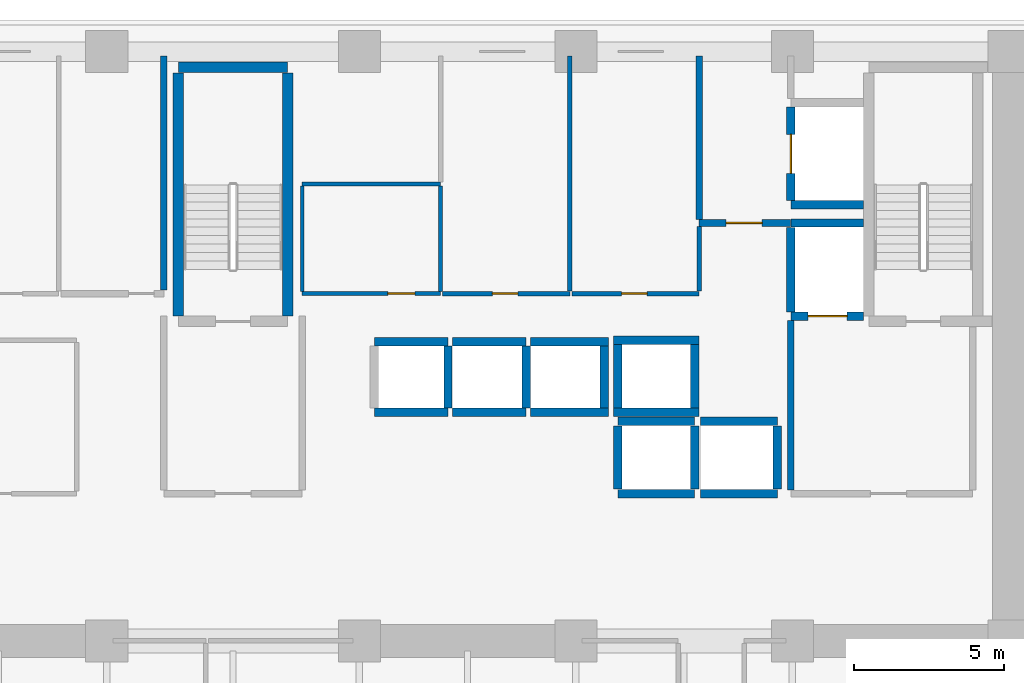
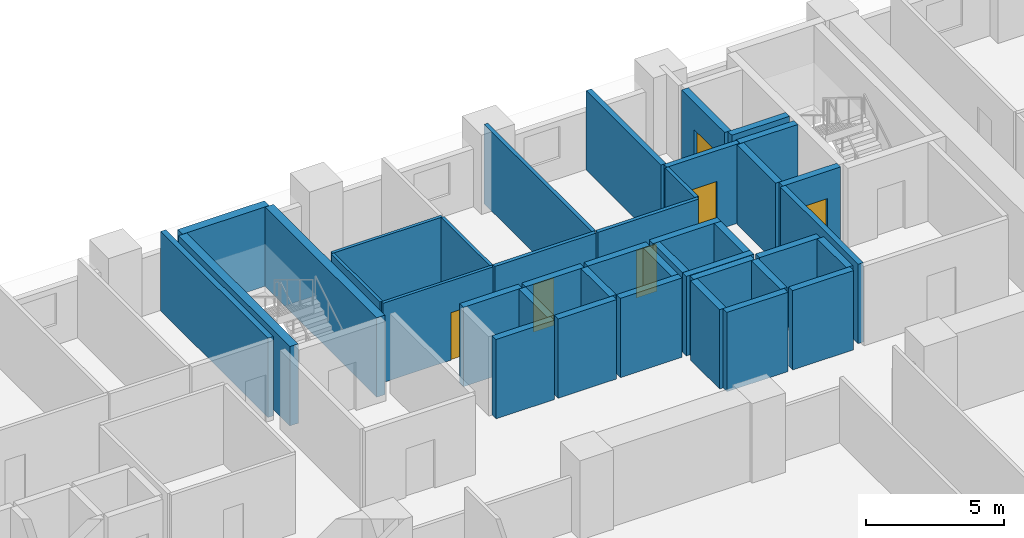
# One storey, part 8 of 15: 40 walls, 6 doors, 6 openings.
"""IFC4 building model written with IfcOpenShell, lengths in metres."""

from ifc_helpers import new_model, si_unit, direction, frame, frame_2d, origin, place, context, subcontext, project, spatial, rectangle, extrude, material, layer, layer_set, type_object, element, fill, save


model = new_model("IFC4")

# Units and contexts
model_context = context("Model", 3, precision=1e-05, world=origin(), true_north=direction((0.0, 1.0)))
body_context = subcontext(model_context, "Body", "Model", "MODEL_VIEW")
ifc_project = project(units=[si_unit("LENGTHUNIT", "METRE"), si_unit("AREAUNIT", "SQUARE_METRE"), si_unit("VOLUMEUNIT", "CUBIC_METRE"), si_unit("PLANEANGLEUNIT", "RADIAN"), si_unit("MASSUNIT", "GRAM", prefix="KILO")], contexts=[model_context])

# Site, building, storey
site_placement = place(None, origin())
site = spatial("IfcSite", under=ifc_project, at=site_placement, CompositionType="ELEMENT")
building_placement = place(site_placement, origin())
building = spatial("IfcBuilding", under=site, at=building_placement, Name="Kaelvorn Grand Hotel", CompositionType="ELEMENT")
storey_placement = place(building_placement, frame((0.0, 0.0, 42.64990234375)))
storey = spatial("IfcBuildingStorey", under=building, at=storey_placement, Name="L08", CompositionType="ELEMENT", Elevation=42.64990234375)

# Wall, opening, door
ifc_material_1 = material(Name="Moisture-Resistant Tile & Stud Board")
ifc_layer_1 = layer(ifc_material_1, 0.125)
ifc_layer_set_1 = layer_set([ifc_layer_1], Name="Moisture-Resistant Tile & Stud Board")
wall_type_1 = type_object("IfcWallType", Name="WL-PART-125-WET", PredefinedType="PARTITIONING", material=ifc_layer_set_1)
wall_1_placement = place(storey_placement, frame((44.300048828125, 40.949951171875, 0.0), z_axis=(0.0, 0.0, 1.0), x_axis=(1.0, 0.0, 0.0)))
wall_1 = element("IfcWall", 1, at=wall_1_placement, inside=storey, type_object=wall_type_1, Name="L08 Accessible WC S Partition", PredefinedType="PARTITIONING", context=body_context, shape_type="SweptSolid", body=[
    extrude(rectangle(XDim=4.599853515625, YDim=0.125, at=frame_2d((2.2998046875, 0.0))), origin(), (0.0, 0.0, 1.0), 3.510009765625),
])
opening_1_placement = place(wall_1_placement, frame((2.85009765625, 0.0, 0.0)))
opening_1 = element("IfcOpeningElement", 2, at=opening_1_placement, cuts=wall_1, Name="Opening DI4", PredefinedType="OPENING", context=body_context, shape_type="SweptSolid", body=[
    extrude(rectangle(XDim=0.89990234375, YDim=2.10009765625, at=frame_2d((0.449951171875, 1.050048828125))), frame((0.0, 0.072509765625, 0.0), z_axis=(0.0, -1.0, 0.0), x_axis=(1.0, 0.0, 0.0)), (0.0, 0.0, 1.0), 0.14501953125),
])
ifc_material_2 = material(Name="Timber Veneer Leaf", Category="wood")
door_type_1 = type_object("IfcDoorType", Name="DR-INT-BATH-900x2100", OperationType="NOTDEFINED", PredefinedType="DOOR", material=ifc_material_2)
door_1_placement = place(opening_1_placement, origin())
door_1 = element("IfcDoor", 3, at=door_1_placement, inside=storey, type_object=door_type_1, Name="L08 Accessible WC Door", OperationType="SINGLE_SWING_RIGHT", OverallHeight=2.10009765625, OverallWidth=0.89990234375, PredefinedType="DOOR", context=body_context, shape_type="SweptSolid", body=[
    extrude(rectangle(XDim=0.89990234375, YDim=2.10009765625, at=frame_2d((0.449951171875, 1.050048828125))), frame((0.0, 0.02490234375, 0.0), z_axis=(0.0, -1.0, 0.0), x_axis=(1.0, 0.0, 0.0)), (0.0, 0.0, 1.0), 0.050048828125),
])
fill(opening_1, door_1)

# Walls
wall_2_placement = place(storey_placement, frame((44.300048828125, 44.60009765625, 0.0), z_axis=(0.0, 0.0, 1.0), x_axis=(1.0, 0.0, 0.0)))
element("IfcWall", 4, at=wall_2_placement, inside=storey, type_object=wall_type_1, Name="L08 Accessible WC N Partition", PredefinedType="PARTITIONING", context=body_context, shape_type="SweptSolid", body=[
    extrude(rectangle(XDim=4.599853515625, YDim=0.125, at=frame_2d((2.2998046875, 0.0))), origin(), (0.0, 0.0, 1.0), 3.510009765625),
])
for number, where, z_axis, x_axis, name in (
    (5, (44.300048828125, 41.017578125, 0.0), (0.0, 0.0, 1.0), (0.0, 1.0, 0.0), "L08 Accessible WC W Partition"),
    (6, (48.89990234375, 41.017578125, 0.0), (0.0, 0.0, 1.0), (0.0, 1.0, 0.0), "L08 Accessible WC E Partition"),
):
    element("IfcWall", number, at=place(storey_placement, frame(where, z_axis=z_axis, x_axis=x_axis)), inside=storey, type_object=wall_type_1, Name=name, PredefinedType="PARTITIONING", context=body_context, shape_type="SweptSolid", body=[
        extrude(rectangle(XDim=3.514892578125, YDim=0.125, at=frame_2d((1.75732421875, 0.0))), origin(), (0.0, 0.0, 1.0), 3.510009765625),
    ])

# Wall, opening, door
ifc_material_3 = material(Name="Acoustic Gypsum & Stud Partition")
ifc_layer_2 = layer(ifc_material_3, 0.14990234375)
ifc_layer_set_2 = layer_set([ifc_layer_2], Name="Acoustic Gypsum & Stud Partition")
wall_type_2 = type_object("IfcWallType", Name="WL-PART-150-EI60", PredefinedType="PARTITIONING", material=ifc_layer_set_2)
wall_3_placement = place(storey_placement, frame((48.967529296875, 40.949951171875, 0.0), z_axis=(0.0, 0.0, 1.0), x_axis=(1.0, 0.0, 0.0)))
wall_3 = element("IfcWall", 7, at=wall_3_placement, inside=storey, type_object=wall_type_2, Name="L08 Minibar & Glassware Store S Partition", PredefinedType="PARTITIONING", context=body_context, shape_type="SweptSolid", body=[
    extrude(rectangle(XDim=4.232421875, YDim=0.14990234375, at=frame_2d((2.1162109375, 0.0))), origin(), (0.0, 0.0, 1.0), 3.510009765625),
])
opening_2_placement = place(wall_3_placement, frame((1.657470703125, 0.0, 0.0)))
opening_2 = element("IfcOpeningElement", 8, at=opening_2_placement, cuts=wall_3, Name="Opening DI7", PredefinedType="OPENING", context=body_context, shape_type="SweptSolid", body=[
    extrude(rectangle(XDim=0.85009765625, YDim=2.10009765625, at=frame_2d((0.425048828125, 1.050048828125))), frame((0.0, 0.0849609375, 0.0), z_axis=(0.0, -1.0, 0.0), x_axis=(1.0, 0.0, 0.0)), (0.0, 0.0, 1.0), 0.169921875),
])
ifc_material_4 = material(Name="Powder-Coated Steel Leaf", Category="steel")
door_type_2 = type_object("IfcDoorType", Name="DR-INT-RISER-850x2100", OperationType="NOTDEFINED", PredefinedType="DOOR", material=ifc_material_4)
door_2_placement = place(opening_2_placement, origin())
door_2 = element("IfcDoor", 9, at=door_2_placement, inside=storey, type_object=door_type_2, Name="L08 Minibar & Glassware Store Door", OperationType="SINGLE_SWING_LEFT", OverallHeight=2.10009765625, OverallWidth=0.85009765625, PredefinedType="DOOR", context=body_context, shape_type="SweptSolid", body=[
    extrude(rectangle(XDim=0.85009765625, YDim=2.10009765625, at=frame_2d((0.425048828125, 1.050048828125))), frame((0.0, 0.02490234375, 0.0), z_axis=(0.0, -1.0, 0.0), x_axis=(1.0, 0.0, 0.0)), (0.0, 0.0, 1.0), 0.050048828125),
])
fill(opening_2, door_2)

# Wall
wall_4_placement = place(storey_placement, frame((53.199951171875, 41.030029296875, 0.0), z_axis=(0.0, 0.0, 1.0), x_axis=(0.0, 1.0, 0.0)))
element("IfcWall", 10, at=wall_4_placement, inside=storey, type_object=wall_type_2, Name="L08 Minibar & Glassware Store E Partition", PredefinedType="PARTITIONING", context=body_context, shape_type="SweptSolid", body=[
    extrude(rectangle(XDim=7.820068359375, YDim=0.14990234375, at=frame_2d((3.91015625, 0.0))), origin(), (0.0, 0.0, 1.0), 3.510009765625),
])

# Wall, opening, door
wall_5_placement = place(storey_placement, frame((53.280029296875, 40.949951171875, 0.0), z_axis=(0.0, 0.0, 1.0), x_axis=(1.0, 0.0, 0.0)))
wall_5 = element("IfcWall", 11, at=wall_5_placement, inside=storey, type_object=wall_type_2, Name="L08 Floor IT & Comms Room S Partition", PredefinedType="PARTITIONING", context=body_context, shape_type="SweptSolid", body=[
    extrude(rectangle(XDim=4.219970703125, YDim=0.14990234375, at=frame_2d((2.10986328125, 0.0))), origin(), (0.0, 0.0, 1.0), 3.510009765625),
])
opening_3_placement = place(wall_5_placement, frame((1.64501953125, 0.0, 0.0)))
opening_3 = element("IfcOpeningElement", 12, at=opening_3_placement, cuts=wall_5, Name="Opening DI7", PredefinedType="OPENING", context=body_context, shape_type="SweptSolid", body=[
    extrude(rectangle(XDim=0.85009765625, YDim=2.10009765625, at=frame_2d((0.425048828125, 1.050048828125))), frame((0.0, 0.0849609375, 0.0), z_axis=(0.0, -1.0, 0.0), x_axis=(1.0, 0.0, 0.0)), (0.0, 0.0, 1.0), 0.169921875),
])
door_3_placement = place(opening_3_placement, origin())
door_3 = element("IfcDoor", 13, at=door_3_placement, inside=storey, type_object=door_type_2, Name="L08 Floor IT & Comms Room Door", OperationType="SINGLE_SWING_RIGHT", OverallHeight=2.10009765625, OverallWidth=0.85009765625, PredefinedType="DOOR", context=body_context, shape_type="SweptSolid", body=[
    extrude(rectangle(XDim=0.85009765625, YDim=2.10009765625, at=frame_2d((0.425048828125, 1.050048828125))), frame((0.0, 0.02490234375, 0.0), z_axis=(0.0, -1.0, 0.0), x_axis=(1.0, 0.0, 0.0)), (0.0, 0.0, 1.0), 0.050048828125),
])
fill(opening_3, door_3)

# Walls
wall_6_placement = place(storey_placement, frame((57.5, 41.030029296875, 0.0), z_axis=(0.0, 0.0, 1.0), x_axis=(0.0, 1.0, 0.0)))
element("IfcWall", 14, at=wall_6_placement, inside=storey, type_object=wall_type_2, Name="L08 Floor IT & Comms Room E Partition", PredefinedType="PARTITIONING", context=body_context, shape_type="SweptSolid", body=[
    extrude(rectangle(XDim=2.155029296875, YDim=0.14990234375, at=frame_2d((1.07763671875, 0.0))), origin(), (0.0, 0.0, 1.0), 3.510009765625),
])
ifc_material_5 = material(Name="Concrete C40/50", Category="concrete")
ifc_layer_3 = layer(ifc_material_5, 0.219970703125)
ifc_layer_set_3 = layer_set([ifc_layer_3], Name="Concrete C40/50")
wall_type_3 = type_object("IfcWallType", Name="WL-PART-220-EI120", PredefinedType="PARTITIONING", material=ifc_layer_set_3)
wall_7_placement = place(storey_placement, frame((60.550048828125, 34.4150390625, 0.0), z_axis=(0.0, 0.0, 1.0), x_axis=(0.0, 1.0, 0.0)))
element("IfcWall", 15, at=wall_7_placement, inside=storey, type_object=wall_type_3, Name="L08 Firefighting Lift Lobby 2 W Partition", PredefinedType="PARTITIONING", context=body_context, shape_type="SweptSolid", body=[
    extrude(rectangle(XDim=5.639892578125, YDim=0.219970703125, at=frame_2d((2.81982421875, 0.0))), origin(), (0.0, 0.0, 1.0), 3.510009765625),
])

# Wall, opening, door
wall_8_placement = place(storey_placement, frame((57.5, 43.300048828125, 0.0), z_axis=(0.0, 0.0, 1.0), x_axis=(1.0, 0.0, 0.0)))
wall_8 = element("IfcWall", 16, at=wall_8_placement, inside=storey, type_object=wall_type_3, Name="L08 Service Lift Lobby S Partition", PredefinedType="PARTITIONING", context=body_context, shape_type="SweptSolid", body=[
    extrude(rectangle(XDim=3.0400390625, YDim=0.219970703125, at=frame_2d((1.52001953125, 0.0))), origin(), (0.0, 0.0, 1.0), 3.510009765625),
])
opening_4_placement = place(wall_8_placement, frame((0.89990234375, 0.0, 0.0)))
opening_4 = element("IfcOpeningElement", 17, at=opening_4_placement, cuts=wall_8, Name="Opening DI2", PredefinedType="OPENING", context=body_context, shape_type="SweptSolid", body=[
    extrude(rectangle(XDim=1.199951171875, YDim=2.14990234375, at=frame_2d((0.60009765625, 1.074951171875))), frame((0.0, 0.1201171875, 0.0), z_axis=(0.0, -1.0, 0.0), x_axis=(1.0, 0.0, 0.0)), (0.0, 0.0, 1.0), 0.239990234375),
])
ifc_material_6 = material(Name="Timber Veneer Fire Leaf", Category="wood")
door_type_3 = type_object("IfcDoorType", Name="DR-INT-FFLOB-1200x2150", OperationType="NOTDEFINED", PredefinedType="DOOR", material=ifc_material_6)
door_4_placement = place(opening_4_placement, origin())
door_4 = element("IfcDoor", 18, at=door_4_placement, inside=storey, type_object=door_type_3, Name="L08 Service Lift Lobby Door", OperationType="SINGLE_SWING_LEFT", OverallHeight=2.14990234375, OverallWidth=1.199951171875, PredefinedType="DOOR", context=body_context, shape_type="SweptSolid", body=[
    extrude(rectangle(XDim=1.199951171875, YDim=2.14990234375, at=frame_2d((0.60009765625, 1.074951171875))), frame((0.0, 0.02490234375, 0.0), z_axis=(0.0, -1.0, 0.0), x_axis=(1.0, 0.0, 0.0)), (0.0, 0.0, 1.0), 0.050048828125),
])
fill(opening_4, door_4)

# Walls
wall_9_placement = place(storey_placement, frame((57.5, 43.4150390625, 0.0), z_axis=(0.0, 0.0, 1.0), x_axis=(0.0, 1.0, 0.0)))
element("IfcWall", 19, at=wall_9_placement, inside=storey, type_object=wall_type_3, Name="L08 Service Lift Lobby W Partition", PredefinedType="PARTITIONING", context=body_context, shape_type="SweptSolid", body=[
    extrude(rectangle(XDim=5.43505859375, YDim=0.219970703125, at=frame_2d((2.717529296875, 0.0))), origin(), (0.0, 0.0, 1.0), 3.510009765625),
])
wall_10_placement = place(storey_placement, frame((39.699951171875, 41.06494140625, 0.0), z_axis=(0.0, 0.0, 1.0), x_axis=(0.0, 1.0, 0.0)))
element("IfcWall", 20, at=wall_10_placement, inside=storey, type_object=wall_type_3, Name="L08 LV Electrical & Metering Room E Partition", PredefinedType="PARTITIONING", context=body_context, shape_type="SweptSolid", body=[
    extrude(rectangle(XDim=7.78515625, YDim=0.219970703125, at=frame_2d((3.892578125, 0.0))), origin(), (0.0, 0.0, 1.0), 3.510009765625),
])
ifc_material_7 = material(Name="Concrete C50/60", Category="concrete")
ifc_layer_4 = layer(ifc_material_7, 0.280029296875)
ifc_layer_set_4 = layer_set([ifc_layer_4], Name="Concrete C50/60")
wall_type_4 = type_object("IfcWallType", Name="WL-SHAFT-280-C50", PredefinedType="SHEAR", material=ifc_layer_set_4)
for number, where, z_axis, x_axis, name in (
    (21, (46.699951171875, 37.0, 0.0), (0.0, 0.0, 1.0), (1.0, 0.0, 0.0), "L08 Lift SL-1 Shaft South Wall"),
    (22, (46.699951171875, 39.35009765625, 0.0), (0.0, 0.0, 1.0), (1.0, 0.0, 0.0), "L08 Lift SL-1 Shaft North Wall"),
):
    element("IfcWall", number, at=place(storey_placement, frame(where, z_axis=z_axis, x_axis=x_axis)), inside=storey, type_object=wall_type_4, Name=name, PredefinedType="SHEAR", context=body_context, shape_type="SweptSolid", body=[
        extrude(rectangle(XDim=2.449951171875, YDim=0.280029296875, at=frame_2d((1.22509765625, 0.0))), origin(), (0.0, 0.0, 1.0), 3.510009765625),
    ])
wall_11_placement = place(storey_placement, frame((49.14990234375, 37.14501953125, 0.0), z_axis=(0.0, 0.0, 1.0), x_axis=(0.0, 1.0, 0.0)))
element("IfcWall", 23, at=wall_11_placement, inside=storey, type_object=wall_type_4, Name="L08 Lift SL-1 Shaft East Wall", PredefinedType="SHEAR", context=body_context, shape_type="SweptSolid", body=[
    extrude(rectangle(XDim=2.06005859375, YDim=0.280029296875, at=frame_2d((1.030029296875, 0.0))), origin(), (0.0, 0.0, 1.0), 3.510009765625),
])
for number, where, z_axis, x_axis, name in (
    (24, (49.300048828125, 37.0, 0.0), (0.0, 0.0, 1.0), (1.0, 0.0, 0.0), "L08 Lift SL-2 Shaft South Wall"),
    (25, (49.300048828125, 39.35009765625, 0.0), (0.0, 0.0, 1.0), (1.0, 0.0, 0.0), "L08 Lift SL-2 Shaft North Wall"),
):
    element("IfcWall", number, at=place(storey_placement, frame(where, z_axis=z_axis, x_axis=x_axis)), inside=storey, type_object=wall_type_4, Name=name, PredefinedType="SHEAR", context=body_context, shape_type="SweptSolid", body=[
        extrude(rectangle(XDim=2.449951171875, YDim=0.280029296875, at=frame_2d((1.22509765625, 0.0))), origin(), (0.0, 0.0, 1.0), 3.510009765625),
    ])
wall_12_placement = place(storey_placement, frame((51.75, 37.14501953125, 0.0), z_axis=(0.0, 0.0, 1.0), x_axis=(0.0, 1.0, 0.0)))
element("IfcWall", 26, at=wall_12_placement, inside=storey, type_object=wall_type_4, Name="L08 Lift SL-2 Shaft East Wall", PredefinedType="SHEAR", context=body_context, shape_type="SweptSolid", body=[
    extrude(rectangle(XDim=2.06005859375, YDim=0.280029296875, at=frame_2d((1.030029296875, 0.0))), origin(), (0.0, 0.0, 1.0), 3.510009765625),
])
for number, where, z_axis, x_axis, name in (
    (27, (51.89990234375, 37.0, 0.0), (0.0, 0.0, 1.0), (1.0, 0.0, 0.0), "L08 Lift SL-3 Shaft South Wall"),
    (28, (51.89990234375, 39.35009765625, 0.0), (0.0, 0.0, 1.0), (1.0, 0.0, 0.0), "L08 Lift SL-3 Shaft North Wall"),
):
    element("IfcWall", number, at=place(storey_placement, frame(where, z_axis=z_axis, x_axis=x_axis)), inside=storey, type_object=wall_type_4, Name=name, PredefinedType="SHEAR", context=body_context, shape_type="SweptSolid", body=[
        extrude(rectangle(XDim=2.590087890625, YDim=0.280029296875, at=frame_2d((1.294921875, 0.0))), origin(), (0.0, 0.0, 1.0), 3.510009765625),
    ])
wall_13_placement = place(storey_placement, frame((54.35009765625, 37.14501953125, 0.0), z_axis=(0.0, 0.0, 1.0), x_axis=(0.0, 1.0, 0.0)))
element("IfcWall", 29, at=wall_13_placement, inside=storey, type_object=wall_type_4, Name="L08 Lift SL-3 Shaft East Wall", PredefinedType="SHEAR", context=body_context, shape_type="SweptSolid", body=[
    extrude(rectangle(XDim=2.06005859375, YDim=0.280029296875, at=frame_2d((1.030029296875, 0.0))), origin(), (0.0, 0.0, 1.0), 3.510009765625),
])
for number, where, z_axis, x_axis, name in (
    (30, (54.800048828125, 34.300048828125, 0.0), (0.0, 0.0, 1.0), (1.0, 0.0, 0.0), "L08 Lift OL-1 Shaft South Wall"),
    (31, (54.800048828125, 36.699951171875, 0.0), (0.0, 0.0, 1.0), (1.0, 0.0, 0.0), "L08 Lift OL-1 Shaft North Wall"),
):
    element("IfcWall", number, at=place(storey_placement, frame(where, z_axis=z_axis, x_axis=x_axis)), inside=storey, type_object=wall_type_4, Name=name, PredefinedType="SHEAR", context=body_context, shape_type="SweptSolid", body=[
        extrude(rectangle(XDim=2.550048828125, YDim=0.280029296875, at=frame_2d((1.27490234375, 0.0))), origin(), (0.0, 0.0, 1.0), 3.510009765625),
    ])
for number, where, z_axis, x_axis, name in (
    (32, (54.800048828125, 34.445068359375, 0.0), (0.0, 0.0, 1.0), (0.0, 1.0, 0.0), "L08 Lift OL-1 Shaft West Wall"),
    (33, (57.35009765625, 34.445068359375, 0.0), (0.0, 0.0, 1.0), (0.0, 1.0, 0.0), "L08 Lift OL-1 Shaft East Wall"),
):
    element("IfcWall", number, at=place(storey_placement, frame(where, z_axis=z_axis, x_axis=x_axis)), inside=storey, type_object=wall_type_4, Name=name, PredefinedType="SHEAR", context=body_context, shape_type="SweptSolid", body=[
        extrude(rectangle(XDim=2.10986328125, YDim=0.280029296875, at=frame_2d((1.054931640625, 0.0))), origin(), (0.0, 0.0, 1.0), 3.510009765625),
    ])
for number, where, z_axis, x_axis, name in (
    (34, (57.550048828125, 34.300048828125, 0.0), (0.0, 0.0, 1.0), (1.0, 0.0, 0.0), "L08 Lift OL-2 Shaft South Wall"),
    (35, (57.550048828125, 36.699951171875, 0.0), (0.0, 0.0, 1.0), (1.0, 0.0, 0.0), "L08 Lift OL-2 Shaft North Wall"),
):
    element("IfcWall", number, at=place(storey_placement, frame(where, z_axis=z_axis, x_axis=x_axis)), inside=storey, type_object=wall_type_4, Name=name, PredefinedType="SHEAR", context=body_context, shape_type="SweptSolid", body=[
        extrude(rectangle(XDim=2.550048828125, YDim=0.280029296875, at=frame_2d((1.27490234375, 0.0))), origin(), (0.0, 0.0, 1.0), 3.510009765625),
    ])
wall_14_placement = place(storey_placement, frame((60.10009765625, 34.445068359375, 0.0), z_axis=(0.0, 0.0, 1.0), x_axis=(0.0, 1.0, 0.0)))
element("IfcWall", 36, at=wall_14_placement, inside=storey, type_object=wall_type_4, Name="L08 Lift OL-2 Shaft East Wall", PredefinedType="SHEAR", context=body_context, shape_type="SweptSolid", body=[
    extrude(rectangle(XDim=2.10986328125, YDim=0.280029296875, at=frame_2d((1.054931640625, 0.0))), origin(), (0.0, 0.0, 1.0), 3.510009765625),
])
for number, where, z_axis, x_axis, name in (
    (37, (54.659912109375, 37.0, 0.0), (0.0, 0.0, 1.0), (1.0, 0.0, 0.0), "L08 Lift OL-3 Shaft South Wall"),
    (38, (54.659912109375, 39.39990234375, 0.0), (0.0, 0.0, 1.0), (1.0, 0.0, 0.0), "L08 Lift OL-3 Shaft North Wall"),
):
    element("IfcWall", number, at=place(storey_placement, frame(where, z_axis=z_axis, x_axis=x_axis)), inside=storey, type_object=wall_type_4, Name=name, PredefinedType="SHEAR", context=body_context, shape_type="SweptSolid", body=[
        extrude(rectangle(XDim=2.830078125, YDim=0.280029296875, at=frame_2d((1.4150390625, 0.0))), origin(), (0.0, 0.0, 1.0), 3.510009765625),
    ])
for number, where, z_axis, x_axis, name in (
    (39, (54.800048828125, 37.14501953125, 0.0), (0.0, 0.0, 1.0), (0.0, 1.0, 0.0), "L08 Lift OL-3 Shaft West Wall"),
    (40, (57.35009765625, 37.14501953125, 0.0), (0.0, 0.0, 1.0), (0.0, 1.0, 0.0), "L08 Lift OL-3 Shaft East Wall"),
):
    element("IfcWall", number, at=place(storey_placement, frame(where, z_axis=z_axis, x_axis=x_axis)), inside=storey, type_object=wall_type_4, Name=name, PredefinedType="SHEAR", context=body_context, shape_type="SweptSolid", body=[
        extrude(rectangle(XDim=2.10986328125, YDim=0.280029296875, at=frame_2d((1.054931640625, 0.0))), origin(), (0.0, 0.0, 1.0), 3.510009765625),
    ])

# Wall, opening, door
wall_15_placement = place(storey_placement, frame((60.550048828125, 40.199951171875, 0.0), z_axis=(0.0, 0.0, 1.0), x_axis=(1.0, 0.0, 0.0)))
wall_15 = element("IfcWall", 41, at=wall_15_placement, inside=storey, type_object=wall_type_4, Name="L08 Lift FFL2 Shaft South Wall", PredefinedType="SHEAR", context=body_context, shape_type="SweptSolid", body=[
    extrude(rectangle(XDim=2.4150390625, YDim=0.280029296875, at=frame_2d((1.20751953125, 0.0))), origin(), (0.0, 0.0, 1.0), 3.510009765625),
])
opening_5_placement = place(wall_15_placement, frame((0.574951171875, 0.0, 0.0)))
opening_5 = element("IfcOpeningElement", 42, at=opening_5_placement, cuts=wall_15, Name="Opening LD-FFL2", PredefinedType="OPENING", context=body_context, shape_type="SweptSolid", body=[
    extrude(rectangle(XDim=1.300048828125, YDim=2.300048828125, at=frame_2d((0.64990234375, 1.14990234375))), frame((0.0, 0.14990234375, 0.0), z_axis=(0.0, -1.0, 0.0), x_axis=(1.0, 0.0, 0.0)), (0.0, 0.0, 1.0), 0.300048828125),
])
ifc_material_8 = material(Name="Stainless Steel", Category="steel")
door_type_4 = type_object("IfcDoorType", Name="DR-LIFT-SERV-1300x2300", OperationType="DOUBLE_DOOR_SLIDING", PredefinedType="DOOR", material=ifc_material_8)
door_5_placement = place(opening_5_placement, origin())
door_5 = element("IfcDoor", 43, at=door_5_placement, inside=storey, type_object=door_type_4, Name="L08 Lift FFL2 Sliding Landing Door LD-FFL2", OperationType="DOUBLE_DOOR_SLIDING", OverallHeight=2.300048828125, OverallWidth=1.300048828125, PredefinedType="DOOR", context=body_context, shape_type="SweptSolid", body=[
    extrude(rectangle(XDim=1.300048828125, YDim=2.300048828125, at=frame_2d((0.64990234375, 1.14990234375))), frame((0.0, 0.02490234375, 0.0), z_axis=(0.0, -1.0, 0.0), x_axis=(1.0, 0.0, 0.0)), (0.0, 0.0, 1.0), 0.050048828125),
])
fill(opening_5, door_5)

# Walls
wall_16_placement = place(storey_placement, frame((60.550048828125, 43.300048828125, 0.0), z_axis=(0.0, 0.0, 1.0), x_axis=(1.0, 0.0, 0.0)))
element("IfcWall", 44, at=wall_16_placement, inside=storey, type_object=wall_type_4, Name="L08 Lift FFL2 Shaft North Wall", PredefinedType="SHEAR", context=body_context, shape_type="SweptSolid", body=[
    extrude(rectangle(XDim=2.4150390625, YDim=0.280029296875, at=frame_2d((1.20751953125, 0.0))), origin(), (0.0, 0.0, 1.0), 3.510009765625),
])
wall_17_placement = place(storey_placement, frame((60.550048828125, 40.344970703125, 0.0), z_axis=(0.0, 0.0, 1.0), x_axis=(0.0, 1.0, 0.0)))
element("IfcWall", 45, at=wall_17_placement, inside=storey, type_object=wall_type_4, Name="L08 Lift FFL2 Shaft West Wall", PredefinedType="SHEAR", context=body_context, shape_type="SweptSolid", body=[
    extrude(rectangle(XDim=2.81005859375, YDim=0.280029296875, at=frame_2d((1.405029296875, 0.0))), origin(), (0.0, 0.0, 1.0), 3.510009765625),
])
wall_18_placement = place(storey_placement, frame((60.550048828125, 43.89990234375, 0.0), z_axis=(0.0, 0.0, 1.0), x_axis=(1.0, 0.0, 0.0)))
element("IfcWall", 46, at=wall_18_placement, inside=storey, type_object=wall_type_4, Name="L08 Lift SV1 Shaft South Wall", PredefinedType="SHEAR", context=body_context, shape_type="SweptSolid", body=[
    extrude(rectangle(XDim=2.4150390625, YDim=0.280029296875, at=frame_2d((1.20751953125, 0.0))), origin(), (0.0, 0.0, 1.0), 3.510009765625),
])

# Wall, opening, door
wall_19_placement = place(storey_placement, frame((60.550048828125, 44.044921875, 0.0), z_axis=(0.0, 0.0, 1.0), x_axis=(0.0, 1.0, 0.0)))
wall_19 = element("IfcWall", 47, at=wall_19_placement, inside=storey, type_object=wall_type_4, Name="L08 Lift SV1 Shaft West Wall", PredefinedType="SHEAR", context=body_context, shape_type="SweptSolid", body=[
    extrude(rectangle(XDim=3.110107421875, YDim=0.280029296875, at=frame_2d((1.55517578125, 0.0))), origin(), (0.0, 0.0, 1.0), 3.510009765625),
])
opening_6_placement = place(wall_19_placement, frame((0.905029296875, 0.0, 0.0)))
opening_6 = element("IfcOpeningElement", 48, at=opening_6_placement, cuts=wall_19, Name="Opening LD-SV1", PredefinedType="OPENING", context=body_context, shape_type="SweptSolid", body=[
    extrude(rectangle(XDim=1.300048828125, YDim=2.300048828125, at=frame_2d((0.64990234375, 1.14990234375))), frame((0.0, 0.14990234375, 0.0), z_axis=(0.0, -1.0, 0.0), x_axis=(1.0, 0.0, 0.0)), (0.0, 0.0, 1.0), 0.300048828125),
])
door_6_placement = place(opening_6_placement, origin())
door_6 = element("IfcDoor", 49, at=door_6_placement, inside=storey, type_object=door_type_4, Name="L08 Lift SV1 Sliding Landing Door LD-SV1", OperationType="DOUBLE_DOOR_SLIDING", OverallHeight=2.300048828125, OverallWidth=1.300048828125, PredefinedType="DOOR", context=body_context, shape_type="SweptSolid", body=[
    extrude(rectangle(XDim=1.300048828125, YDim=2.300048828125, at=frame_2d((0.64990234375, 1.14990234375))), frame((0.0, 0.02490234375, 0.0), z_axis=(0.0, -1.0, 0.0), x_axis=(1.0, 0.0, 0.0)), (0.0, 0.0, 1.0), 0.050048828125),
])
fill(opening_6, door_6)

# Walls
ifc_material_9 = material(Name="Concrete C60/75", Category="concrete")
ifc_layer_5 = layer(ifc_material_9, 0.35009765625)
ifc_layer_set_5 = layer_set([ifc_layer_5], Name="Concrete C60/75")
wall_type_5 = type_object("IfcWallType", Name="WL-SHAFT-350-C60", PredefinedType="SHEAR", material=ifc_layer_set_5)
wall_20_placement = place(storey_placement, frame((40.18505859375, 48.47509765625, 0.0), z_axis=(0.0, 0.0, 1.0), x_axis=(1.0, 0.0, 0.0)))
element("IfcWall", 50, at=wall_20_placement, inside=storey, type_object=wall_type_5, Name="L08 ST2 Stair Shaft North Wall", PredefinedType="SHEAR", context=body_context, shape_type="SweptSolid", body=[
    extrude(rectangle(XDim=3.6298828125, YDim=0.35009765625, at=frame_2d((1.81494140625, 0.0))), origin(), (0.0, 0.0, 1.0), 3.510009765625),
])
for number, where, z_axis, x_axis, name in (
    (51, (40.18505859375, 40.205078125, 0.0), (0.0, 0.0, 1.0), (0.0, 1.0, 0.0), "L08 ST2 Stair Shaft West Wall"),
    (52, (43.81494140625, 40.205078125, 0.0), (0.0, 0.0, 1.0), (0.0, 1.0, 0.0), "L08 ST2 Stair Shaft East Wall"),
):
    element("IfcWall", number, at=place(storey_placement, frame(where, z_axis=z_axis, x_axis=x_axis)), inside=storey, type_object=wall_type_5, Name=name, PredefinedType="SHEAR", context=body_context, shape_type="SweptSolid", body=[
        extrude(rectangle(XDim=8.08984375, YDim=0.35009765625, at=frame_2d((4.044921875, 0.0))), origin(), (0.0, 0.0, 1.0), 3.510009765625),
    ])

save(model, "model.ifc")
